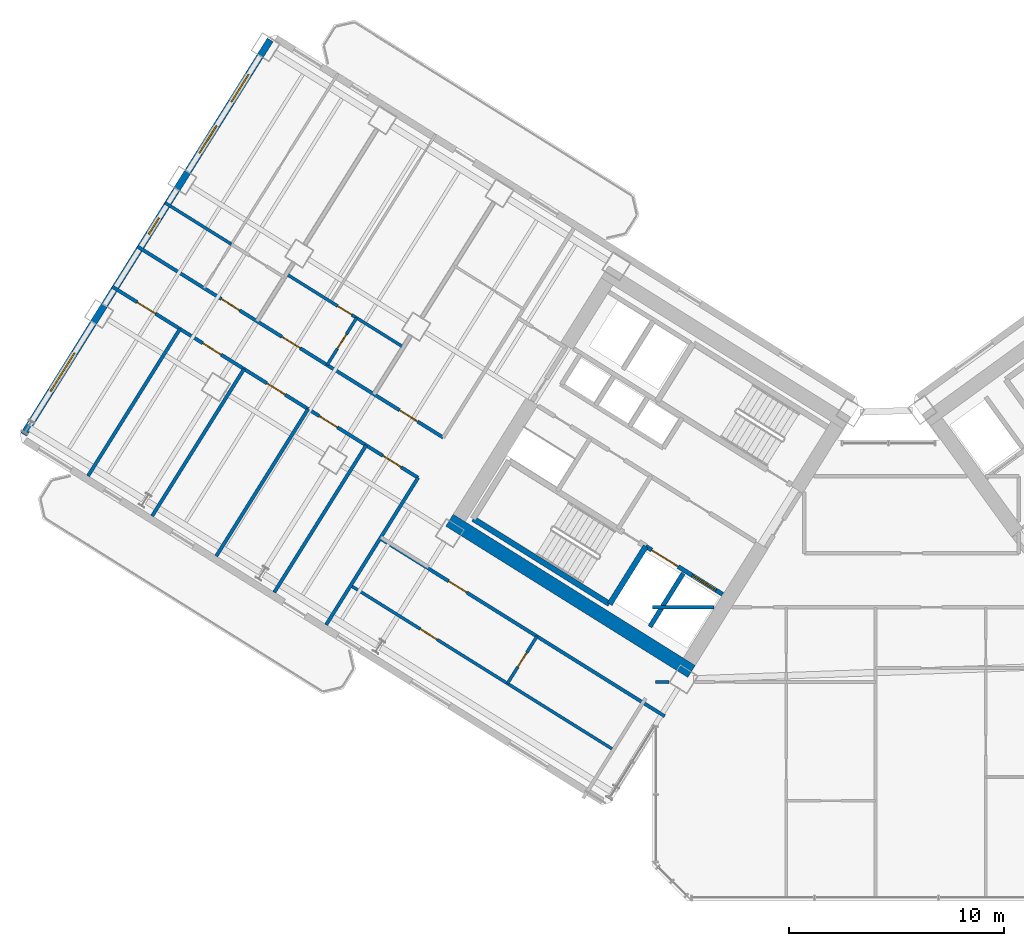
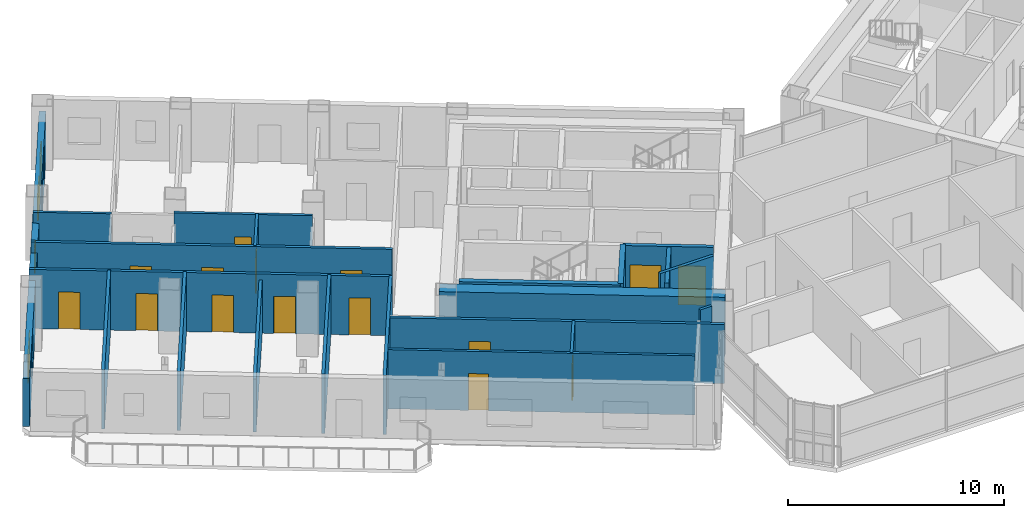
# One storey, part 15 of 24: 21 walls, 15 doors, 4 windows, 19 openings.
"""IFC4 building model written with IfcOpenShell, lengths in metres."""

from ifc_helpers import new_model, si_unit, direction, frame, frame_2d, origin, place, context, subcontext, project, spatial, rectangle, extrude, source, transform, mapped, material, layer, layer_set, type_object, element, fill, save


model = new_model("IFC4")

# Units and contexts
model_context = context("Model", 3, precision=1e-05, world=origin(), true_north=direction((0.0, 1.0)))
body_context = subcontext(model_context, "Body", "Model", "MODEL_VIEW")
ifc_project = project(units=[si_unit("LENGTHUNIT", "METRE"), si_unit("AREAUNIT", "SQUARE_METRE"), si_unit("VOLUMEUNIT", "CUBIC_METRE"), si_unit("PLANEANGLEUNIT", "RADIAN"), si_unit("MASSUNIT", "GRAM", prefix="KILO")], contexts=[model_context])

# Site, building, storey
site_placement = place(None, origin())
site = spatial("IfcSite", under=ifc_project, at=site_placement, CompositionType="ELEMENT")
building_placement = place(site_placement, origin())
building = spatial("IfcBuilding", under=site, at=building_placement, Name="Tlacorven Tower", CompositionType="ELEMENT")
storey_placement = place(building_placement, frame((0.0, 0.0, 60.0)))
storey = spatial("IfcBuildingStorey", under=building, at=storey_placement, Name="L15", CompositionType="ELEMENT", Elevation=60.0)

# Walls
ifc_material_1 = material(Name="Concrete C60/75", Category="concrete")
ifc_layer_1 = layer(ifc_material_1, 0.64990234375)
ifc_layer_set_1 = layer_set([ifc_layer_1], Name="Concrete C60/75")
wall_type_1 = type_object("IfcWallType", Name="WL-COR-650", PredefinedType="SHEAR", material=ifc_layer_set_1)
wall_1_placement = place(storey_placement, frame((33.40869140625, 12.449951171875, 0.0), z_axis=(0.0, 0.0, 1.0), x_axis=(-0.848051132073, 0.529914405721, 0.0)))
element("IfcWall", 1, at=wall_1_placement, inside=storey, type_object=wall_type_1, Name="L15 W core shear wall S2", PredefinedType="SHEAR", context=body_context, shape_type="SweptSolid", body=[
    extrude(rectangle(XDim=13.239990234375, YDim=0.64990234375, at=frame_2d((6.6201171875, 0.0))), origin(), (0.0, 0.0, 1.0), 3.35009765625),
])
ifc_material_2 = material(Name="Gypsum plasterboard acoustic partition", Category="gypsum")
ifc_layer_2 = layer(ifc_material_2, 0.159912109375)
ifc_layer_set_2 = layer_set([ifc_layer_2], Name="Gypsum plasterboard acoustic partition")
wall_type_2 = type_object("IfcWallType", Name="WL-DEM-160", PredefinedType="PARTITIONING", material=ifc_layer_set_2)
wall_2_placement = place(storey_placement, frame((20.719482421875, 21.440185546875, 0.0), z_axis=(0.0, 0.0, 1.0), x_axis=(-0.529906246318, -0.848056230514, 0.0)))
element("IfcWall", 2, at=wall_2_placement, inside=storey, type_object=wall_type_2, Name="L15 partition 50", PredefinedType="PARTITIONING", context=body_context, shape_type="SweptSolid", body=[
    extrude(rectangle(XDim=8.0498046875, YDim=0.159912109375, at=frame_2d((4.02490234375, 0.0))), origin(), (0.0, 0.0, 1.0), 3.340087890625),
])

# Wall, openings, doors
wall_3_placement = place(storey_placement, frame((21.885498046875, 23.305908203125, 0.0), z_axis=(0.0, 0.0, 1.0), x_axis=(-0.848052408131, 0.529912363569, 0.0)))
wall_3 = element("IfcWall", 3, at=wall_3_placement, inside=storey, type_object=wall_type_2, Name="L15 Wing W Corridor South Wall", PredefinedType="PARTITIONING", context=body_context, shape_type="SweptSolid", body=[
    extrude(rectangle(XDim=16.72998046875, YDim=0.159912109375, at=frame_2d((8.364990234375, 0.0))), origin(), (0.0, 0.0, 1.0), 3.340087890625),
])
opening_1_placement = place(wall_3_placement, frame((1.39501953125, 0.0, 0.0)))
opening_1 = element("IfcOpeningElement", 4, at=opening_1_placement, cuts=wall_3, Name="Opening D11", PredefinedType="OPENING", context=body_context, shape_type="SweptSolid", body=[
    extrude(rectangle(XDim=1.0, YDim=2.10009765625, at=frame_2d((0.5, 1.050048828125))), frame((0.0, 0.08984375, 0.0), z_axis=(0.0, -1.0, 0.0), x_axis=(1.0, 0.0, 0.0)), (0.0, 0.0, 1.0), 0.179931640625),
])
opening_2_placement = place(wall_3_placement, frame((7.820068359375, 0.0, 0.0)))
opening_2 = element("IfcOpeningElement", 5, at=opening_2_placement, cuts=wall_3, Name="Opening D11", PredefinedType="OPENING", context=body_context, shape_type="SweptSolid", body=[
    extrude(rectangle(XDim=1.0, YDim=2.10009765625, at=frame_2d((0.5, 1.050048828125))), frame((0.0, 0.08984375, 0.0), z_axis=(0.0, -1.0, 0.0), x_axis=(1.0, 0.0, 0.0)), (0.0, 0.0, 1.0), 0.179931640625),
])
opening_3_placement = place(wall_3_placement, frame((11.139892578125, 0.0, 0.0)))
opening_3 = element("IfcOpeningElement", 6, at=opening_3_placement, cuts=wall_3, Name="Opening D11", PredefinedType="OPENING", context=body_context, shape_type="SweptSolid", body=[
    extrude(rectangle(XDim=1.0, YDim=2.10009765625, at=frame_2d((0.5, 1.050048828125))), frame((0.0, 0.08984375, 0.0), z_axis=(0.0, -1.0, 0.0), x_axis=(1.0, 0.0, 0.0)), (0.0, 0.0, 1.0), 0.179931640625),
])
ifc_material_3 = material(Name="Fire-rated steel door assembly", Category="steel")
door_type_1 = type_object("IfcDoorType", Name="DR-FLT-FD60-1000", OperationType="NOTDEFINED", PredefinedType="DOOR", material=ifc_material_3)
shared_shape_1 = source(origin(), body_context, "Body", "SweptSolid", [
    extrude(rectangle(XDim=1.0, YDim=2.10009765625, at=frame_2d((0.5, 1.050048828125))), frame((0.0, 0.02490234375, 0.0), z_axis=(0.0, -1.0, 0.0), x_axis=(1.0, 0.0, 0.0)), (0.0, 0.0, 1.0), 0.050048828125),
])
door_1_placement = place(opening_1_placement, origin())
door_1 = element("IfcDoor", 7, at=door_1_placement, inside=storey, type_object=door_type_1, Name="L15 door 026", OperationType="SINGLE_SWING_LEFT", OverallHeight=2.10009765625, OverallWidth=1.0, PredefinedType="DOOR", context=body_context, shape_type="MappedRepresentation", body=[
    mapped(shared_shape_1, transform((0.0, 0.0, 0.0), scale=1.0)),
])
fill(opening_1, door_1)
door_2_placement = place(opening_2_placement, origin())
door_2 = element("IfcDoor", 8, at=door_2_placement, inside=storey, type_object=door_type_1, Name="L15 door 029", OperationType="SINGLE_SWING_RIGHT", OverallHeight=2.10009765625, OverallWidth=1.0, PredefinedType="DOOR", context=body_context, shape_type="MappedRepresentation", body=[
    mapped(shared_shape_1, transform((0.0, 0.0, 0.0), scale=1.0)),
])
fill(opening_2, door_2)
door_3_placement = place(opening_3_placement, origin())
door_3 = element("IfcDoor", 9, at=door_3_placement, inside=storey, type_object=door_type_1, Name="L15 door 033", OperationType="SINGLE_SWING_RIGHT", OverallHeight=2.10009765625, OverallWidth=1.0, PredefinedType="DOOR", context=body_context, shape_type="MappedRepresentation", body=[
    mapped(shared_shape_1, transform((0.0, 0.0, 0.0), scale=1.0)),
])
fill(opening_3, door_3)

wall_4_placement = place(storey_placement, frame((20.719482421875, 21.440185546875, 0.0), z_axis=(0.0, 0.0, 1.0), x_axis=(-0.848048310262, 0.529918921593, 0.0)))
wall_4 = element("IfcWall", 10, at=wall_4_placement, inside=storey, type_object=wall_type_2, Name="L15 Wing W Corridor North Wall", PredefinedType="PARTITIONING", context=body_context, shape_type="SweptSolid", body=[
    extrude(rectangle(XDim=16.72998046875, YDim=0.159912109375, at=frame_2d((8.364990234375, 0.0))), origin(), (0.0, 0.0, 1.0), 3.340087890625),
])
opening_4_placement = place(wall_4_placement, frame((0.92041015625, 0.0, 0.0)))
opening_4 = element("IfcOpeningElement", 11, at=opening_4_placement, cuts=wall_4, Name="Opening D11", PredefinedType="OPENING", context=body_context, shape_type="SweptSolid", body=[
    extrude(rectangle(XDim=1.0, YDim=2.10009765625, at=frame_2d((0.5, 1.050048828125))), frame((0.0, 0.08984375, 0.0), z_axis=(0.0, -1.0, 0.0), x_axis=(1.0, 0.0, 0.0)), (0.0, 0.0, 1.0), 0.179931640625),
])
opening_5_placement = place(wall_4_placement, frame((4.408447265625, 0.0, 0.0)))
opening_5 = element("IfcOpeningElement", 12, at=opening_5_placement, cuts=wall_4, Name="Opening D11", PredefinedType="OPENING", context=body_context, shape_type="SweptSolid", body=[
    extrude(rectangle(XDim=1.0, YDim=2.10009765625, at=frame_2d((0.5, 1.050048828125))), frame((0.0, 0.08984375, 0.0), z_axis=(0.0, -1.0, 0.0), x_axis=(1.0, 0.0, 0.0)), (0.0, 0.0, 1.0), 0.179931640625),
])
opening_6_placement = place(wall_4_placement, frame((7.2705078125, 0.0, 0.0)))
opening_6 = element("IfcOpeningElement", 13, at=opening_6_placement, cuts=wall_4, Name="Opening D11", PredefinedType="OPENING", context=body_context, shape_type="SweptSolid", body=[
    extrude(rectangle(XDim=1.0, YDim=2.10009765625, at=frame_2d((0.5, 1.050048828125))), frame((0.0, 0.08984375, 0.0), z_axis=(0.0, -1.0, 0.0), x_axis=(1.0, 0.0, 0.0)), (0.0, 0.0, 1.0), 0.179931640625),
])
opening_7_placement = place(wall_4_placement, frame((10.779541015625, 0.0, 0.0)))
opening_7 = element("IfcOpeningElement", 14, at=opening_7_placement, cuts=wall_4, Name="Opening D11", PredefinedType="OPENING", context=body_context, shape_type="SweptSolid", body=[
    extrude(rectangle(XDim=1.0, YDim=2.10009765625, at=frame_2d((0.5, 1.050048828125))), frame((0.0, 0.08984375, 0.0), z_axis=(0.0, -1.0, 0.0), x_axis=(1.0, 0.0, 0.0)), (0.0, 0.0, 1.0), 0.179931640625),
])
opening_8_placement = place(wall_4_placement, frame((14.3720703125, 0.0, 0.0)))
opening_8 = element("IfcOpeningElement", 15, at=opening_8_placement, cuts=wall_4, Name="Opening D11", PredefinedType="OPENING", context=body_context, shape_type="SweptSolid", body=[
    extrude(rectangle(XDim=1.0, YDim=2.10009765625, at=frame_2d((0.5, 1.050048828125))), frame((0.0, 0.08984375, 0.0), z_axis=(0.0, -1.0, 0.0), x_axis=(1.0, 0.0, 0.0)), (0.0, 0.0, 1.0), 0.179931640625),
])
door_4_placement = place(opening_4_placement, origin())
door_4 = element("IfcDoor", 16, at=door_4_placement, inside=storey, type_object=door_type_1, Name="L15 door 021", OperationType="SINGLE_SWING_RIGHT", OverallHeight=2.10009765625, OverallWidth=1.0, PredefinedType="DOOR", context=body_context, shape_type="MappedRepresentation", body=[
    mapped(shared_shape_1, transform((0.0, 0.0, 0.0), scale=1.0)),
])
fill(opening_4, door_4)
door_5_placement = place(opening_5_placement, origin())
door_5 = element("IfcDoor", 17, at=door_5_placement, inside=storey, type_object=door_type_1, Name="L15 door 022", OperationType="SINGLE_SWING_RIGHT", OverallHeight=2.10009765625, OverallWidth=1.0, PredefinedType="DOOR", context=body_context, shape_type="MappedRepresentation", body=[
    mapped(shared_shape_1, transform((0.0, 0.0, 0.0), scale=1.0)),
])
fill(opening_5, door_5)
door_6_placement = place(opening_6_placement, origin())
door_6 = element("IfcDoor", 18, at=door_6_placement, inside=storey, type_object=door_type_1, Name="L15 door 023", OperationType="SINGLE_SWING_RIGHT", OverallHeight=2.10009765625, OverallWidth=1.0, PredefinedType="DOOR", context=body_context, shape_type="MappedRepresentation", body=[
    mapped(shared_shape_1, transform((0.0, 0.0, 0.0), scale=1.0)),
])
fill(opening_6, door_6)
door_7_placement = place(opening_7_placement, origin())
door_7 = element("IfcDoor", 19, at=door_7_placement, inside=storey, type_object=door_type_1, Name="L15 door 024", OperationType="SINGLE_SWING_RIGHT", OverallHeight=2.10009765625, OverallWidth=1.0, PredefinedType="DOOR", context=body_context, shape_type="MappedRepresentation", body=[
    mapped(shared_shape_1, transform((0.0, 0.0, 0.0), scale=1.0)),
])
fill(opening_7, door_7)
door_8_placement = place(opening_8_placement, origin())
door_8 = element("IfcDoor", 20, at=door_8_placement, inside=storey, type_object=door_type_1, Name="L15 door 025", OperationType="SINGLE_SWING_RIGHT", OverallHeight=2.10009765625, OverallWidth=1.0, PredefinedType="DOOR", context=body_context, shape_type="MappedRepresentation", body=[
    mapped(shared_shape_1, transform((0.0, 0.0, 0.0), scale=1.0)),
])
fill(opening_8, door_8)

# Walls
wall_5_placement = place(storey_placement, frame((18.310302734375, 22.94580078125, 0.0), z_axis=(0.0, 0.0, 1.0), x_axis=(-0.529914428959, -0.848051117552, 0.0)))
element("IfcWall", 21, at=wall_5_placement, inside=storey, type_object=wall_type_2, Name="L15 partition 54", PredefinedType="PARTITIONING", context=body_context, shape_type="SweptSolid", body=[
    extrude(rectangle(XDim=8.050048828125, YDim=0.159912109375, at=frame_2d((4.02490234375, 0.0))), origin(), (0.0, 0.0, 1.0), 3.340087890625),
])
wall_6_placement = place(storey_placement, frame((15.61767578125, 24.628173828125, 0.0), z_axis=(0.0, 0.0, 1.0), x_axis=(-0.529928058306, -0.848042600947, 0.0)))
element("IfcWall", 22, at=wall_6_placement, inside=storey, type_object=wall_type_2, Name="L15 partition 55", PredefinedType="PARTITIONING", context=body_context, shape_type="SweptSolid", body=[
    extrude(rectangle(XDim=8.0498046875, YDim=0.159912109375, at=frame_2d((4.02490234375, 0.0))), origin(), (0.0, 0.0, 1.0), 2.9951171875),
])
wall_7_placement = place(storey_placement, frame((12.641845703125, 26.48779296875, 0.0), z_axis=(0.0, 0.0, 1.0), x_axis=(-0.529914428959, -0.848051117552, 0.0)))
element("IfcWall", 23, at=wall_7_placement, inside=storey, type_object=wall_type_2, Name="L15 partition 56", PredefinedType="PARTITIONING", context=body_context, shape_type="SweptSolid", body=[
    extrude(rectangle(XDim=8.050048828125, YDim=0.159912109375, at=frame_2d((4.02490234375, 0.0))), origin(), (0.0, 0.0, 1.0), 3.340087890625),
])
wall_8_placement = place(storey_placement, frame((9.666259765625, 28.34716796875, 0.0), z_axis=(0.0, 0.0, 1.0), x_axis=(-0.529928058306, -0.848042600947, 0.0)))
element("IfcWall", 24, at=wall_8_placement, inside=storey, type_object=wall_type_2, Name="L15 partition 57", PredefinedType="PARTITIONING", context=body_context, shape_type="SweptSolid", body=[
    extrude(rectangle(XDim=8.0498046875, YDim=0.159912109375, at=frame_2d((4.02490234375, 0.0))), origin(), (0.0, 0.0, 1.0), 3.340087890625),
])

# Wall, opening, door
wall_9_placement = place(storey_placement, frame((32.164306640625, 10.373779296875, 0.0), z_axis=(0.0, 0.0, 1.0), x_axis=(-0.848044107957, 0.529925646633, 0.0)))
wall_9 = element("IfcWall", 25, at=wall_9_placement, inside=storey, type_object=wall_type_2, Name="L15 partition 68", PredefinedType="PARTITIONING", context=body_context, shape_type="SweptSolid", body=[
    extrude(rectangle(XDim=15.570068359375, YDim=0.159912109375, at=frame_2d((7.78515625, 0.0))), origin(), (0.0, 0.0, 1.0), 3.340087890625),
])
opening_9_placement = place(wall_9_placement, frame((10.830078125, 0.0, 0.0)))
opening_9 = element("IfcOpeningElement", 26, at=opening_9_placement, cuts=wall_9, Name="Opening D11", PredefinedType="OPENING", context=body_context, shape_type="SweptSolid", body=[
    extrude(rectangle(XDim=1.0, YDim=2.10009765625, at=frame_2d((0.5, 1.050048828125))), frame((0.0, 0.08984375, 0.0), z_axis=(0.0, -1.0, 0.0), x_axis=(1.0, 0.0, 0.0)), (0.0, 0.0, 1.0), 0.179931640625),
])
door_9_placement = place(opening_9_placement, origin())
door_9 = element("IfcDoor", 27, at=door_9_placement, inside=storey, type_object=door_type_1, Name="L15 door 037", OperationType="SINGLE_SWING_RIGHT", OverallHeight=2.10009765625, OverallWidth=1.0, PredefinedType="DOOR", context=body_context, shape_type="MappedRepresentation", body=[
    mapped(shared_shape_1, transform((0.0, 0.0, 0.0), scale=1.0)),
])
fill(opening_9, door_9)

# Wall
wall_10_placement = place(storey_placement, frame((31.60009765625, 15.419921875, 0.0), z_axis=(0.0, 0.0, 1.0), x_axis=(1.0, 0.0, 0.0)))
element("IfcWall", 28, at=wall_10_placement, inside=storey, type_object=wall_type_2, Name="L15 Knuckle Corridor South Wall", PredefinedType="PARTITIONING", context=body_context, shape_type="SweptSolid", body=[
    extrude(rectangle(XDim=2.8662109375, YDim=0.159912109375, at=frame_2d((1.43310546875, 0.0))), origin(), (0.0, 0.0, 1.0), 3.340087890625),
])

# Wall, openings, windows
ifc_material_4 = material(Name="Precast concrete C45/55", Category="concrete")
ifc_layer_3 = layer(ifc_material_4, 0.320068359375)
ifc_layer_set_3 = layer_set([ifc_layer_3], Name="Precast concrete C45/55")
wall_type_3 = type_object("IfcWallType", Name="WL-EXT-320", PredefinedType="STANDARD", material=ifc_layer_set_3)
wall_11_placement = place(storey_placement, frame((2.41455078125, 23.452392578125, 0.0), z_axis=(0.0, 0.0, 1.0), x_axis=(0.52991049553, 0.848053575387, 0.0)))
wall_11 = element("IfcWall", 29, at=wall_11_placement, inside=storey, type_object=wall_type_3, Name="L15 Masonry-Frame Recessed Facade Wall 2", PredefinedType="STANDARD", context=body_context, shape_type="SweptSolid", body=[
    extrude(rectangle(XDim=21.58740234375, YDim=0.320068359375, at=frame_2d((10.793701171875, 0.0))), origin(), (0.0, 0.0, 1.0), 2.72509765625),
])
opening_10_placement = place(wall_11_placement, frame((2.356201171875, 0.0, 0.800048828125)))
opening_10 = element("IfcOpeningElement", 30, at=opening_10_placement, cuts=wall_11, Name="Opening WN04", PredefinedType="OPENING", context=body_context, shape_type="SweptSolid", body=[
    extrude(rectangle(XDim=2.10009765625, YDim=1.550048828125, at=frame_2d((1.050048828125, 0.77490234375))), frame((0.0, 0.169921875, 0.0), z_axis=(0.0, -1.0, 0.0), x_axis=(1.0, 0.0, 0.0)), (0.0, 0.0, 1.0), 0.340087890625),
])
opening_11_placement = place(wall_11_placement, frame((10.94873046875, 0.0, 1.0)))
opening_11 = element("IfcOpeningElement", 31, at=opening_11_placement, cuts=wall_11, Name="Opening WN05", PredefinedType="OPENING", context=body_context, shape_type="SweptSolid", body=[
    extrude(rectangle(XDim=0.89990234375, YDim=1.25, at=frame_2d((0.449951171875, 0.625))), frame((0.0, 0.169921875, 0.0), z_axis=(0.0, -1.0, 0.0), x_axis=(1.0, 0.0, 0.0)), (0.0, 0.0, 1.0), 0.340087890625),
])
opening_12_placement = place(wall_11_placement, frame((15.393798828125, 0.0, 0.85009765625)))
opening_12 = element("IfcOpeningElement", 32, at=opening_12_placement, cuts=wall_11, Name="Opening WN02", PredefinedType="OPENING", context=body_context, shape_type="SweptSolid", body=[
    extrude(rectangle(XDim=1.5, YDim=1.5, at=frame_2d((0.75, 0.75))), frame((0.0, 0.169921875, 0.0), z_axis=(0.0, -1.0, 0.0), x_axis=(1.0, 0.0, 0.0)), (0.0, 0.0, 1.0), 0.340087890625),
])
opening_13_placement = place(wall_11_placement, frame((18.193603515625, 0.0, 0.85009765625)))
opening_13 = element("IfcOpeningElement", 33, at=opening_13_placement, cuts=wall_11, Name="Opening WN02", PredefinedType="OPENING", context=body_context, shape_type="SweptSolid", body=[
    extrude(rectangle(XDim=1.5, YDim=1.5, at=frame_2d((0.75, 0.75))), frame((0.0, 0.169921875, 0.0), z_axis=(0.0, -1.0, 0.0), x_axis=(1.0, 0.0, 0.0)), (0.0, 0.0, 1.0), 0.340087890625),
])
ifc_material_5 = material(Name="Dark solar low-E double glazing in anodised aluminium frame", Category="aluminium")
window_type_1 = type_object("IfcWindowType", Name="WN-APT-2100X1750", PartitioningType="SINGLE_PANEL", PredefinedType="WINDOW", material=ifc_material_5)
shared_shape_2 = source(origin(), body_context, "Body", "SweptSolid", [
    extrude(rectangle(XDim=2.10009765625, YDim=1.550048828125, at=frame_2d((1.050048828125, 0.77490234375))), frame((0.0, 0.030029296875, 0.0), z_axis=(0.0, -1.0, 0.0), x_axis=(1.0, 0.0, 0.0)), (0.0, 0.0, 1.0), 0.06005859375),
])
window_1_placement = place(opening_10_placement, origin())
window_1 = element("IfcWindow", 34, at=window_1_placement, inside=storey, type_object=window_type_1, Name="L15 Recessed Masonry-Frame Window L15-02.1", OverallHeight=1.550048828125, OverallWidth=2.10009765625, PartitioningType="SINGLE_PANEL", PredefinedType="WINDOW", context=body_context, shape_type="MappedRepresentation", body=[
    mapped(shared_shape_2, transform((0.0, 0.0, 0.0), scale=1.0)),
])
fill(opening_10, window_1)
window_type_2 = type_object("IfcWindowType", Name="WN-APT-1500X1650", PartitioningType="SINGLE_PANEL", PredefinedType="WINDOW", material=ifc_material_5)
shared_shape_3 = source(origin(), body_context, "Body", "SweptSolid", [
    extrude(rectangle(XDim=1.5, YDim=1.5, at=frame_2d((0.75, 0.75))), frame((0.0, 0.030029296875, 0.0), z_axis=(0.0, -1.0, 0.0), x_axis=(1.0, 0.0, 0.0)), (0.0, 0.0, 1.0), 0.06005859375),
])
window_2_placement = place(opening_12_placement, origin())
window_2 = element("IfcWindow", 35, at=window_2_placement, inside=storey, type_object=window_type_2, Name="L15 Recessed Masonry-Frame Window L15-02.3", OverallHeight=1.5, OverallWidth=1.5, PartitioningType="SINGLE_PANEL", PredefinedType="WINDOW", context=body_context, shape_type="MappedRepresentation", body=[
    mapped(shared_shape_3, transform((0.0, 0.0, 0.0), scale=1.0)),
])
fill(opening_12, window_2)
window_3_placement = place(opening_13_placement, origin())
window_3 = element("IfcWindow", 36, at=window_3_placement, inside=storey, type_object=window_type_2, Name="L15 Recessed Masonry-Frame Window L15-02.4", OverallHeight=1.5, OverallWidth=1.5, PartitioningType="SINGLE_PANEL", PredefinedType="WINDOW", context=body_context, shape_type="MappedRepresentation", body=[
    mapped(shared_shape_3, transform((0.0, 0.0, 0.0), scale=1.0)),
])
fill(opening_13, window_3)
window_type_3 = type_object("IfcWindowType", Name="WN-APT-0900X1350", PartitioningType="SINGLE_PANEL", PredefinedType="WINDOW", material=ifc_material_5)
shared_shape_4 = source(origin(), body_context, "Body", "SweptSolid", [
    extrude(rectangle(XDim=0.89990234375, YDim=1.25, at=frame_2d((0.449951171875, 0.625))), frame((0.0, 0.030029296875, 0.0), z_axis=(0.0, -1.0, 0.0), x_axis=(1.0, 0.0, 0.0)), (0.0, 0.0, 1.0), 0.06005859375),
])
window_4_placement = place(opening_11_placement, origin())
window_4 = element("IfcWindow", 37, at=window_4_placement, inside=storey, type_object=window_type_3, Name="L15 Recessed Masonry-Frame Window L15-02.2", OverallHeight=1.25, OverallWidth=0.89990234375, PartitioningType="SINGLE_PANEL", PredefinedType="WINDOW", context=body_context, shape_type="MappedRepresentation", body=[
    mapped(shared_shape_4, transform((0.0, 0.0, 0.0), scale=1.0)),
])
fill(opening_11, window_4)

# Wall, opening, door
ifc_material_6 = material(Name="Moisture-resistant gypsum plumbing wall", Category="gypsum")
ifc_layer_4 = layer(ifc_material_6, 0.139892578125)
ifc_layer_set_4 = layer_set([ifc_layer_4], Name="Moisture-resistant gypsum plumbing wall")
wall_type_4 = type_object("IfcWallType", Name="WL-PLM-140", PredefinedType="PLUMBINGWALL", material=ifc_layer_set_4)
wall_12_placement = place(storey_placement, frame((20.03857421875, 27.502197265625, 0.0), z_axis=(0.0, 0.0, 1.0), x_axis=(-0.848039019877, 0.529933789039, 0.0)))
wall_12 = element("IfcWall", 38, at=wall_12_placement, inside=storey, type_object=wall_type_4, Name="L15 partition 61", PredefinedType="PLUMBINGWALL", context=body_context, shape_type="SweptSolid", body=[
    extrude(rectangle(XDim=6.400146484375, YDim=0.139892578125, at=frame_2d((3.2001953125, 0.0))), origin(), (0.0, 0.0, 1.0), 3.340087890625),
])
opening_14_placement = place(wall_12_placement, frame((2.823974609375, 0.0, 0.0)))
opening_14 = element("IfcOpeningElement", 39, at=opening_14_placement, cuts=wall_12, Name="Opening D22", PredefinedType="OPENING", context=body_context, shape_type="SweptSolid", body=[
    extrude(rectangle(XDim=0.780029296875, YDim=2.050048828125, at=frame_2d((0.39013671875, 1.02490234375))), frame((0.0, 0.080078125, 0.0), z_axis=(0.0, -1.0, 0.0), x_axis=(1.0, 0.0, 0.0)), (0.0, 0.0, 1.0), 0.159912109375),
])
ifc_material_7 = material(Name="Powder-coated aluminium and timber door", Category="wood")
door_type_2 = type_object("IfcDoorType", Name="DR-INT-WET-0780", OperationType="NOTDEFINED", PredefinedType="DOOR", material=ifc_material_7)
shared_shape_5 = source(origin(), body_context, "Body", "SweptSolid", [
    extrude(rectangle(XDim=0.780029296875, YDim=2.050048828125, at=frame_2d((0.39013671875, 1.02490234375))), frame((0.0, 0.02490234375, 0.0), z_axis=(0.0, -1.0, 0.0), x_axis=(1.0, 0.0, 0.0)), (0.0, 0.0, 1.0), 0.050048828125),
])
door_10_placement = place(opening_14_placement, origin())
door_10 = element("IfcDoor", 40, at=door_10_placement, inside=storey, type_object=door_type_2, Name="L15 door 030", OperationType="SINGLE_SWING_LEFT", OverallHeight=2.050048828125, OverallWidth=0.780029296875, PredefinedType="DOOR", context=body_context, shape_type="MappedRepresentation", body=[
    mapped(shared_shape_5, transform((0.0, 0.0, 0.0), scale=1.0)),
])
fill(opening_14, door_10)

wall_13_placement = place(storey_placement, frame((17.867431640625, 28.85888671875, 0.0), z_axis=(0.0, 0.0, 1.0), x_axis=(-0.529913878929, -0.848051461244, 0.0)))
wall_13 = element("IfcWall", 41, at=wall_13_placement, inside=storey, type_object=wall_type_4, Name="L15 partition 62", PredefinedType="PLUMBINGWALL", context=body_context, shape_type="SweptSolid", body=[
    extrude(rectangle(XDim=2.580078125, YDim=0.139892578125, at=frame_2d((1.2900390625, 0.0))), origin(), (0.0, 0.0, 1.0), 3.340087890625),
])
opening_15_placement = place(wall_13_placement, frame((0.89990234375, 0.0, 0.0)))
opening_15 = element("IfcOpeningElement", 42, at=opening_15_placement, cuts=wall_13, Name="Opening D22", PredefinedType="OPENING", context=body_context, shape_type="SweptSolid", body=[
    extrude(rectangle(XDim=0.780029296875, YDim=2.050048828125, at=frame_2d((0.39013671875, 1.02490234375))), frame((0.0, 0.080078125, 0.0), z_axis=(0.0, -1.0, 0.0), x_axis=(1.0, 0.0, 0.0)), (0.0, 0.0, 1.0), 0.159912109375),
])
door_11_placement = place(opening_15_placement, origin())
door_11 = element("IfcDoor", 43, at=door_11_placement, inside=storey, type_object=door_type_2, Name="L15 door 031", OperationType="SINGLE_SWING_RIGHT", OverallHeight=2.050048828125, OverallWidth=0.780029296875, PredefinedType="DOOR", context=body_context, shape_type="MappedRepresentation", body=[
    mapped(shared_shape_5, transform((0.0, 0.0, 0.0), scale=1.0)),
])
fill(opening_15, door_11)

# Wall
wall_14_placement = place(storey_placement, frame((12.056396484375, 32.27783203125, 0.0), z_axis=(0.0, 0.0, 1.0), x_axis=(-0.848039976902, 0.529932257535, 0.0)))
element("IfcWall", 44, at=wall_14_placement, inside=storey, type_object=wall_type_4, Name="L15 partition 67", PredefinedType="PLUMBINGWALL", context=body_context, shape_type="SweptSolid", body=[
    extrude(rectangle(XDim=3.6201171875, YDim=0.139892578125, at=frame_2d((1.81005859375, 0.0))), origin(), (0.0, 0.0, 1.0), 3.340087890625),
])

# Wall, opening, door
wall_15_placement = place(storey_placement, frame((29.72021484375, 8.85888671875, 0.0), z_axis=(0.0, 0.0, 1.0), x_axis=(-0.848049134363, 0.529917602752, 0.0)))
wall_15 = element("IfcWall", 45, at=wall_15_placement, inside=storey, type_object=wall_type_4, Name="L15 partition 70", PredefinedType="PLUMBINGWALL", context=body_context, shape_type="SweptSolid", body=[
    extrude(rectangle(XDim=14.300048828125, YDim=0.139892578125, at=frame_2d((7.14990234375, 0.0))), origin(), (0.0, 0.0, 1.0), 3.340087890625),
])
opening_16_placement = place(wall_15_placement, frame((9.570068359375, 0.0, 0.0)))
opening_16 = element("IfcOpeningElement", 46, at=opening_16_placement, cuts=wall_15, Name="Opening D12", PredefinedType="OPENING", context=body_context, shape_type="SweptSolid", body=[
    extrude(rectangle(XDim=0.919921875, YDim=2.080078125, at=frame_2d((0.4599609375, 1.0400390625))), frame((0.0, 0.080078125, 0.0), z_axis=(0.0, -1.0, 0.0), x_axis=(1.0, 0.0, 0.0)), (0.0, 0.0, 1.0), 0.159912109375),
])
door_type_3 = type_object("IfcDoorType", Name="DR-INT-ROOM-0920", OperationType="NOTDEFINED", PredefinedType="DOOR", material=ifc_material_7)
shared_shape_6 = source(origin(), body_context, "Body", "SweptSolid", [
    extrude(rectangle(XDim=0.919921875, YDim=2.080078125, at=frame_2d((0.4599609375, 1.0400390625))), frame((0.0, 0.02490234375, 0.0), z_axis=(0.0, -1.0, 0.0), x_axis=(1.0, 0.0, 0.0)), (0.0, 0.0, 1.0), 0.050048828125),
])
door_12_placement = place(opening_16_placement, origin())
door_12 = element("IfcDoor", 47, at=door_12_placement, inside=storey, type_object=door_type_3, Name="L15 door 038", OperationType="SINGLE_SWING_LEFT", OverallHeight=2.080078125, OverallWidth=0.919921875, PredefinedType="DOOR", context=body_context, shape_type="MappedRepresentation", body=[
    mapped(shared_shape_6, transform((0.0, 0.0, 0.0), scale=1.0)),
])
fill(opening_16, door_12)

wall_16_placement = place(storey_placement, frame((26.236572265625, 14.077880859375, 0.0), z_axis=(0.0, 0.0, 1.0), x_axis=(-0.52995640672, -0.848024885824, 0.0)))
wall_16 = element("IfcWall", 48, at=wall_16_placement, inside=storey, type_object=wall_type_4, Name="L15 partition 71", PredefinedType="PLUMBINGWALL", context=body_context, shape_type="SweptSolid", body=[
    extrude(rectangle(XDim=2.579833984375, YDim=0.139892578125, at=frame_2d((1.2900390625, 0.0))), origin(), (0.0, 0.0, 1.0), 3.340087890625),
])
opening_17_placement = place(wall_16_placement, frame((0.89990234375, 0.0, 0.0)))
opening_17 = element("IfcOpeningElement", 49, at=opening_17_placement, cuts=wall_16, Name="Opening D22", PredefinedType="OPENING", context=body_context, shape_type="SweptSolid", body=[
    extrude(rectangle(XDim=0.780029296875, YDim=2.050048828125, at=frame_2d((0.39013671875, 1.02490234375))), frame((0.0, 0.080078125, 0.0), z_axis=(0.0, -1.0, 0.0), x_axis=(1.0, 0.0, 0.0)), (0.0, 0.0, 1.0), 0.159912109375),
])
door_13_placement = place(opening_17_placement, origin())
door_13 = element("IfcDoor", 50, at=door_13_placement, inside=storey, type_object=door_type_2, Name="L15 door 039", OperationType="SINGLE_SWING_RIGHT", OverallHeight=2.050048828125, OverallWidth=0.780029296875, PredefinedType="DOOR", context=body_context, shape_type="MappedRepresentation", body=[
    mapped(shared_shape_5, transform((0.0, 0.0, 0.0), scale=1.0)),
])
fill(opening_17, door_13)

# Wall
wall_17_placement = place(storey_placement, frame((31.739990234375, 11.949951171875, 0.0), z_axis=(0.0, 0.0, 1.0), x_axis=(1.0, 0.0, 0.0)))
element("IfcWall", 51, at=wall_17_placement, inside=storey, type_object=wall_type_4, Name="L15 partition 81", PredefinedType="PLUMBINGWALL", context=body_context, shape_type="SweptSolid", body=[
    extrude(rectangle(XDim=0.616943359375, YDim=0.139892578125, at=frame_2d((0.30859375, 0.0))), origin(), (0.0, 0.0, 1.0), 3.340087890625),
])

# Wall, openings, doors
ifc_material_8 = material(Name="Concrete C40/50", Category="concrete")
ifc_layer_5 = layer(ifc_material_8, 0.199951171875)
ifc_layer_set_5 = layer_set([ifc_layer_5], Name="Concrete C40/50")
wall_type_5 = type_object("IfcWallType", Name="WL-SHF-200", PredefinedType="STANDARD", material=ifc_layer_set_5)
wall_18_placement = place(storey_placement, frame((34.84814453125, 16.03125, 0.0), z_axis=(0.0, 0.0, 1.0), x_axis=(-0.848044042236, 0.529925751807, 0.0)))
wall_18 = element("IfcWall", 52, at=wall_18_placement, inside=storey, type_object=wall_type_5, Name="L15 Core W Firefighting Lift Shaft Front Wall", PredefinedType="STANDARD", context=body_context, shape_type="SweptSolid", body=[
    extrude(rectangle(XDim=4.197998046875, YDim=0.199951171875, at=frame_2d((2.09912109375, 0.0))), origin(), (0.0, 0.0, 1.0), 3.340087890625),
])
opening_18_placement = place(wall_18_placement, frame((0.347900390625, 0.0, 0.0)))
opening_18 = element("IfcOpeningElement", 53, at=opening_18_placement, cuts=wall_18, Name="Opening LD03", PredefinedType="OPENING", context=body_context, shape_type="SweptSolid", body=[
    extrude(rectangle(XDim=1.300048828125, YDim=2.199951171875, at=frame_2d((0.64990234375, 1.10009765625))), frame((0.0, 0.10986328125, 0.0), z_axis=(0.0, -1.0, 0.0), x_axis=(1.0, 0.0, 0.0)), (0.0, 0.0, 1.0), 0.219970703125),
])
opening_19_placement = place(wall_18_placement, frame((2.423095703125, 0.0, 0.0)))
opening_19 = element("IfcOpeningElement", 54, at=opening_19_placement, cuts=wall_18, Name="Opening LD04", PredefinedType="OPENING", context=body_context, shape_type="SweptSolid", body=[
    extrude(rectangle(XDim=1.449951171875, YDim=2.25, at=frame_2d((0.72509765625, 1.125))), frame((0.0, 0.10986328125, 0.0), z_axis=(0.0, -1.0, 0.0), x_axis=(1.0, 0.0, 0.0)), (0.0, 0.0, 1.0), 0.219970703125),
])
door_type_4 = type_object("IfcDoorType", Name="DR-LFT-SLID-1300", OperationType="DOUBLE_DOOR_SLIDING", PredefinedType="DOOR", material=ifc_material_3)
shared_shape_7 = source(origin(), body_context, "Body", "SweptSolid", [
    extrude(rectangle(XDim=1.300048828125, YDim=2.199951171875, at=frame_2d((0.64990234375, 1.10009765625))), frame((0.0, 0.02490234375, 0.0), z_axis=(0.0, -1.0, 0.0), x_axis=(1.0, 0.0, 0.0)), (0.0, 0.0, 1.0), 0.050048828125),
])
door_14_placement = place(opening_18_placement, origin())
door_14 = element("IfcDoor", 55, at=door_14_placement, inside=storey, type_object=door_type_4, Name="L15 Lift FFL-W1 Sliding Landing Door", OperationType="DOUBLE_DOOR_SLIDING", OverallHeight=2.199951171875, OverallWidth=1.300048828125, PredefinedType="DOOR", context=body_context, shape_type="MappedRepresentation", body=[
    mapped(shared_shape_7, transform((0.0, 0.0, 0.0), scale=1.0)),
])
fill(opening_18, door_14)
door_type_5 = type_object("IfcDoorType", Name="DR-LFT-SLID-1450", OperationType="DOUBLE_DOOR_SLIDING", PredefinedType="DOOR", material=ifc_material_3)
shared_shape_8 = source(origin(), body_context, "Body", "SweptSolid", [
    extrude(rectangle(XDim=1.449951171875, YDim=2.25, at=frame_2d((0.72509765625, 1.125))), frame((0.0, 0.02490234375, 0.0), z_axis=(0.0, -1.0, 0.0), x_axis=(1.0, 0.0, 0.0)), (0.0, 0.0, 1.0), 0.050048828125),
])
door_15_placement = place(opening_19_placement, origin())
door_15 = element("IfcDoor", 56, at=door_15_placement, inside=storey, type_object=door_type_5, Name="L15 Lift SVL-W1 Sliding Landing Door", OperationType="DOUBLE_DOOR_SLIDING", OverallHeight=2.25, OverallWidth=1.449951171875, PredefinedType="DOOR", context=body_context, shape_type="MappedRepresentation", body=[
    mapped(shared_shape_8, transform((0.0, 0.0, 0.0), scale=1.0)),
])
fill(opening_19, door_15)

# Walls
wall_19_placement = place(storey_placement, frame((33.02880859375, 17.003173828125, 0.0), z_axis=(0.0, 0.0, 1.0), x_axis=(-0.529916267533, -0.848049968695, 0.0)))
element("IfcWall", 57, at=wall_19_placement, inside=storey, type_object=wall_type_5, Name="L15 partition 14", PredefinedType="STANDARD", context=body_context, shape_type="SweptSolid", body=[
    extrude(rectangle(XDim=2.919921875, YDim=0.199951171875, at=frame_2d((1.4599609375, 0.0))), origin(), (0.0, 0.0, 1.0), 3.340087890625),
])
ifc_material_9 = material(Name="Concrete C50/60", Category="concrete")
ifc_layer_6 = layer(ifc_material_9, 0.260009765625)
ifc_layer_set_6 = layer_set([ifc_layer_6], Name="Concrete C50/60")
wall_type_6 = type_object("IfcWallType", Name="WL-STW-260", PredefinedType="SHEAR", material=ifc_layer_set_6)
wall_20_placement = place(storey_placement, frame((29.60498046875, 15.581298828125, 0.0), z_axis=(0.0, 0.0, 1.0), x_axis=(-0.848036911448, 0.529937163087, 0.0)))
element("IfcWall", 58, at=wall_20_placement, inside=storey, type_object=wall_type_6, Name="L15 Stair W1 Far Shear Wall", PredefinedType="SHEAR", context=body_context, shape_type="SweptSolid", body=[
    extrude(rectangle(XDim=7.4599609375, YDim=0.260009765625, at=frame_2d((3.72998046875, 0.0))), origin(), (0.0, 0.0, 1.0), 3.35009765625),
])
wall_21_placement = place(storey_placement, frame((31.2880859375, 18.255859375, 0.0), z_axis=(0.0, 0.0, 1.0), x_axis=(-0.529943379326, -0.848033026897, 0.0)))
element("IfcWall", 59, at=wall_21_placement, inside=storey, type_object=wall_type_6, Name="L15 Stair W1 West Shear Wall", PredefinedType="SHEAR", context=body_context, shape_type="SweptSolid", body=[
    extrude(rectangle(XDim=3.159912109375, YDim=0.260009765625, at=frame_2d((1.580078125, 0.0))), origin(), (0.0, 0.0, 1.0), 3.35009765625),
])

save(model, "model.ifc")
